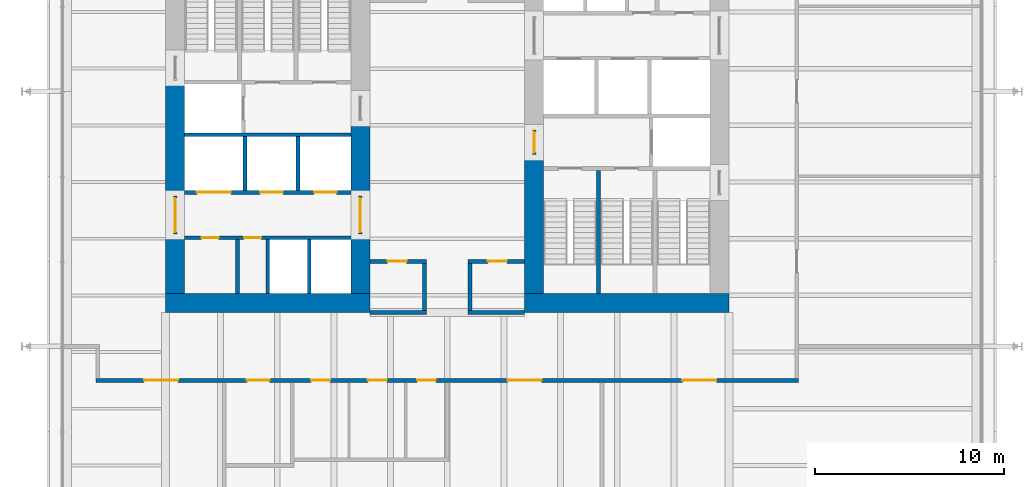
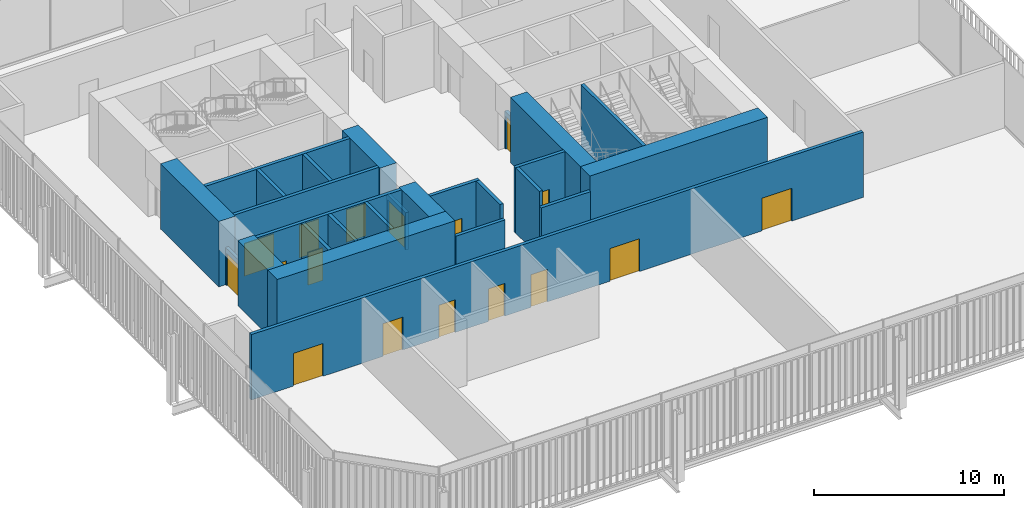
# One storey, part 16 of 20: 26 walls, 17 doors, 17 openings.
"""IFC4 building model written with IfcOpenShell, lengths in metres."""

from ifc_helpers import new_model, si_unit, direction, frame, frame_2d, origin, place, context, subcontext, project, spatial, rectangle, extrude, material, layer, layer_set, type_object, element, fill, save


model = new_model("IFC4")

# Units and contexts
model_context = context("Model", 3, precision=1e-05, world=origin(), true_north=direction((0.0, 1.0)))
body_context = subcontext(model_context, "Body", "Model", "MODEL_VIEW")
ifc_project = project(units=[si_unit("LENGTHUNIT", "METRE"), si_unit("AREAUNIT", "SQUARE_METRE"), si_unit("VOLUMEUNIT", "CUBIC_METRE"), si_unit("PLANEANGLEUNIT", "RADIAN"), si_unit("MASSUNIT", "GRAM", prefix="KILO")], contexts=[model_context])

# Site, building, storey
site_placement = place(None, origin())
site = spatial("IfcSite", under=ifc_project, at=site_placement, CompositionType="ELEMENT")
building_placement = place(site_placement, origin())
building = spatial("IfcBuilding", under=site, at=building_placement, Name="Millrace Tower", CompositionType="ELEMENT")
storey_placement = place(building_placement, frame((0.0, 0.0, 86.39990234375)))
storey = spatial("IfcBuildingStorey", under=building, at=storey_placement, Name="L19", CompositionType="ELEMENT", Elevation=86.39990234375)

# Walls
ifc_material_1 = material(Name="Concrete C80", Category="concrete")
ifc_layer_1 = layer(ifc_material_1, 1.0)
ifc_layer_set_1 = layer_set([ifc_layer_1], Name="Concrete C80")
wall_type_1 = type_object("IfcWallType", Name="Core wall 1000 Concrete C80", PredefinedType="SHEAR", material=ifc_layer_set_1)
wall_1_placement = place(storey_placement, frame((-14.89990234375, -9.39990234375, 0.0), z_axis=(0.0, 0.0, 1.0), x_axis=(1.0, 0.0, 0.0)))
element("IfcWall", 1, at=wall_1_placement, inside=storey, type_object=wall_type_1, Name="Core wall W L19", PredefinedType="SHEAR", context=body_context, shape_type="SweptSolid", body=[
    extrude(rectangle(XDim=10.7998046875, YDim=1.0, at=frame_2d((5.39990234375, 0.0))), origin(), (0.0, 0.0, 1.0), 4.2001953125),
])
wall_2_placement = place(storey_placement, frame((-14.39990234375, -8.89990234375, 0.0), z_axis=(0.0, 0.0, 1.0), x_axis=(0.0, 1.0, 0.0)))
element("IfcWall", 2, at=wall_2_placement, inside=storey, type_object=wall_type_1, Name="Core wall W L19", PredefinedType="SHEAR", context=body_context, shape_type="SweptSolid", body=[
    extrude(rectangle(XDim=3.14990234375, YDim=1.0, at=frame_2d((1.574951171875, 0.0))), origin(), (0.0, 0.0, 1.0), 4.2001953125),
])
wall_3_placement = place(storey_placement, frame((-14.39990234375, -3.75, 0.0), z_axis=(0.0, 0.0, 1.0), x_axis=(0.0, 1.0, 0.0)))
element("IfcWall", 3, at=wall_3_placement, inside=storey, type_object=wall_type_1, Name="Core wall W L19", PredefinedType="SHEAR", context=body_context, shape_type="SweptSolid", body=[
    extrude(rectangle(XDim=6.1298828125, YDim=1.0, at=frame_2d((3.06494140625, 0.0))), origin(), (0.0, 0.0, 1.0), 4.2001953125),
])
wall_4_placement = place(storey_placement, frame((-4.60009765625, -8.89990234375, 0.0), z_axis=(0.0, 0.0, 1.0), x_axis=(0.0, 1.0, 0.0)))
element("IfcWall", 4, at=wall_4_placement, inside=storey, type_object=wall_type_1, Name="Core wall W L19", PredefinedType="SHEAR", context=body_context, shape_type="SweptSolid", body=[
    extrude(rectangle(XDim=3.14990234375, YDim=1.0, at=frame_2d((1.574951171875, 0.0))), origin(), (0.0, 0.0, 1.0), 4.2001953125),
])
wall_5_placement = place(storey_placement, frame((-4.60009765625, -3.75, 0.0), z_axis=(0.0, 0.0, 1.0), x_axis=(0.0, 1.0, 0.0)))
element("IfcWall", 5, at=wall_5_placement, inside=storey, type_object=wall_type_1, Name="Core wall W L19", PredefinedType="SHEAR", context=body_context, shape_type="SweptSolid", body=[
    extrude(rectangle(XDim=4.0, YDim=1.0, at=frame_2d((2.0, 0.0))), origin(), (0.0, 0.0, 1.0), 4.2001953125),
])
wall_6_placement = place(storey_placement, frame((14.89990234375, -9.39990234375, 0.0), z_axis=(0.0, 0.0, 1.0), x_axis=(-1.0, 0.0, 0.0)))
element("IfcWall", 6, at=wall_6_placement, inside=storey, type_object=wall_type_1, Name="Core wall E L19", PredefinedType="SHEAR", context=body_context, shape_type="SweptSolid", body=[
    extrude(rectangle(XDim=10.7998046875, YDim=1.0, at=frame_2d((5.39990234375, 0.0))), origin(), (0.0, 0.0, 1.0), 4.2001953125),
])
wall_7_placement = place(storey_placement, frame((4.60009765625, -1.550048828125, 0.0), z_axis=(0.0, 0.0, 1.0), x_axis=(0.0, -1.0, 0.0)))
element("IfcWall", 7, at=wall_7_placement, inside=storey, type_object=wall_type_1, Name="Core wall E L19", PredefinedType="SHEAR", context=body_context, shape_type="SweptSolid", body=[
    extrude(rectangle(XDim=7.349853515625, YDim=1.0, at=frame_2d((3.6748046875, 0.0))), origin(), (0.0, 0.0, 1.0), 4.2001953125),
])

# Wall, openings, doors
ifc_material_2 = material(Name="Masonry partition, fire-rated", Category="masonry")
ifc_layer_2 = layer(ifc_material_2, 0.199951171875)
ifc_layer_set_2 = layer_set([ifc_layer_2], Name="Masonry partition, fire-rated")
wall_type_2 = type_object("IfcWallType", Name="Corridor wall 200", PredefinedType="PARTITIONING", material=ifc_layer_set_2)
wall_8_placement = place(storey_placement, frame((-18.60009765625, -13.5, 0.0), z_axis=(0.0, 0.0, 1.0), x_axis=(1.0, 0.0, 0.0)))
wall_8 = element("IfcWall", 8, at=wall_8_placement, inside=storey, type_object=wall_type_2, Name="Corridor wall L19", PredefinedType="PARTITIONING", context=body_context, shape_type="SweptSolid", body=[
    extrude(rectangle(XDim=37.2001953125, YDim=0.199951171875, at=frame_2d((18.60009765625, 0.0))), origin(), (0.0, 0.0, 1.0), 4.2001953125),
])
opening_1_placement = place(wall_8_placement, frame((2.550048828125, 0.0, 0.0)))
opening_1 = element("IfcOpeningElement", 9, at=opening_1_placement, cuts=wall_8, Name="Opening 19-P005", PredefinedType="OPENING", context=body_context, shape_type="SweptSolid", body=[
    extrude(rectangle(XDim=1.800048828125, YDim=2.10009765625, at=frame_2d((0.89990234375, 1.050048828125))), frame((0.0, 0.10986328125, 0.0), z_axis=(0.0, -1.0, 0.0), x_axis=(1.0, 0.0, 0.0)), (0.0, 0.0, 1.0), 0.219970703125),
])
opening_2_placement = place(wall_8_placement, frame((21.794921875, 0.0, 0.0)))
opening_2 = element("IfcOpeningElement", 10, at=opening_2_placement, cuts=wall_8, Name="Opening 19-P006", PredefinedType="OPENING", context=body_context, shape_type="SweptSolid", body=[
    extrude(rectangle(XDim=1.800048828125, YDim=2.10009765625, at=frame_2d((0.89990234375, 1.050048828125))), frame((0.0, 0.10986328125, 0.0), z_axis=(0.0, -1.0, 0.0), x_axis=(1.0, 0.0, 0.0)), (0.0, 0.0, 1.0), 0.219970703125),
])
opening_3_placement = place(wall_8_placement, frame((31.044921875, 0.0, 0.0)))
opening_3 = element("IfcOpeningElement", 11, at=opening_3_placement, cuts=wall_8, Name="Opening 19-P007", PredefinedType="OPENING", context=body_context, shape_type="SweptSolid", body=[
    extrude(rectangle(XDim=1.800048828125, YDim=2.10009765625, at=frame_2d((0.89990234375, 1.050048828125))), frame((0.0, 0.10986328125, 0.0), z_axis=(0.0, -1.0, 0.0), x_axis=(1.0, 0.0, 0.0)), (0.0, 0.0, 1.0), 0.219970703125),
])
opening_4_placement = place(wall_8_placement, frame((8.0, 0.0, 0.0)))
opening_4 = element("IfcOpeningElement", 12, at=opening_4_placement, cuts=wall_8, Name="Opening 19-P008", PredefinedType="OPENING", context=body_context, shape_type="SweptSolid", body=[
    extrude(rectangle(XDim=1.199951171875, YDim=2.10009765625, at=frame_2d((0.60009765625, 1.050048828125))), frame((0.0, 0.10986328125, 0.0), z_axis=(0.0, -1.0, 0.0), x_axis=(1.0, 0.0, 0.0)), (0.0, 0.0, 1.0), 0.219970703125),
])
opening_5_placement = place(wall_8_placement, frame((11.39990234375, 0.0, 0.0)))
opening_5 = element("IfcOpeningElement", 13, at=opening_5_placement, cuts=wall_8, Name="Opening 19-P016", PredefinedType="OPENING", context=body_context, shape_type="SweptSolid", body=[
    extrude(rectangle(XDim=1.0, YDim=2.10009765625, at=frame_2d((0.5, 1.050048828125))), frame((0.0, 0.10986328125, 0.0), z_axis=(0.0, -1.0, 0.0), x_axis=(1.0, 0.0, 0.0)), (0.0, 0.0, 1.0), 0.219970703125),
])
opening_6_placement = place(wall_8_placement, frame((14.39990234375, 0.0, 0.0)))
opening_6 = element("IfcOpeningElement", 14, at=opening_6_placement, cuts=wall_8, Name="Opening 19-P017", PredefinedType="OPENING", context=body_context, shape_type="SweptSolid", body=[
    extrude(rectangle(XDim=1.0, YDim=2.10009765625, at=frame_2d((0.5, 1.050048828125))), frame((0.0, 0.10986328125, 0.0), z_axis=(0.0, -1.0, 0.0), x_axis=(1.0, 0.0, 0.0)), (0.0, 0.0, 1.0), 0.219970703125),
])
opening_7_placement = place(wall_8_placement, frame((17.0, 0.0, 0.0)))
opening_7 = element("IfcOpeningElement", 15, at=opening_7_placement, cuts=wall_8, Name="Opening 19-P018", PredefinedType="OPENING", context=body_context, shape_type="SweptSolid", body=[
    extrude(rectangle(XDim=1.0, YDim=2.10009765625, at=frame_2d((0.5, 1.050048828125))), frame((0.0, 0.10986328125, 0.0), z_axis=(0.0, -1.0, 0.0), x_axis=(1.0, 0.0, 0.0)), (0.0, 0.0, 1.0), 0.219970703125),
])
ifc_material_3 = material(Name="Steel door set, fire-rated", Category="steel")
door_type_1 = type_object("IfcDoorType", Name="Corridor door 1000 x 2100", OperationType="SINGLE_SWING_LEFT", PredefinedType="DOOR", material=ifc_material_3)
door_1_placement = place(opening_5_placement, frame((1.0, 0.0, 0.0), z_axis=(0.0, 0.0, 1.0), x_axis=(-1.0, 0.0, 0.0)))
door_1 = element("IfcDoor", 16, at=door_1_placement, inside=storey, type_object=door_type_1, Name="Door 19-P016", OperationType="SINGLE_SWING_RIGHT", OverallHeight=2.10009765625, OverallWidth=1.0, PredefinedType="DOOR", context=body_context, shape_type="SweptSolid", body=[
    extrude(rectangle(XDim=1.0, YDim=2.10009765625, at=frame_2d((0.5, 1.050048828125))), frame((0.0, 0.02490234375, 0.0), z_axis=(0.0, -1.0, 0.0), x_axis=(1.0, 0.0, 0.0)), (0.0, 0.0, 1.0), 0.050048828125),
])
fill(opening_5, door_1)
door_2_placement = place(opening_6_placement, frame((1.0, 0.0, 0.0), z_axis=(0.0, 0.0, 1.0), x_axis=(-1.0, 0.0, 0.0)))
door_2 = element("IfcDoor", 17, at=door_2_placement, inside=storey, type_object=door_type_1, Name="Door 19-P017", OperationType="SINGLE_SWING_RIGHT", OverallHeight=2.10009765625, OverallWidth=1.0, PredefinedType="DOOR", context=body_context, shape_type="SweptSolid", body=[
    extrude(rectangle(XDim=1.0, YDim=2.10009765625, at=frame_2d((0.5, 1.050048828125))), frame((0.0, 0.02490234375, 0.0), z_axis=(0.0, -1.0, 0.0), x_axis=(1.0, 0.0, 0.0)), (0.0, 0.0, 1.0), 0.050048828125),
])
fill(opening_6, door_2)
door_3_placement = place(opening_7_placement, frame((1.0, 0.0, 0.0), z_axis=(0.0, 0.0, 1.0), x_axis=(-1.0, 0.0, 0.0)))
door_3 = element("IfcDoor", 18, at=door_3_placement, inside=storey, type_object=door_type_1, Name="Door 19-P018", OperationType="SINGLE_SWING_RIGHT", OverallHeight=2.10009765625, OverallWidth=1.0, PredefinedType="DOOR", context=body_context, shape_type="SweptSolid", body=[
    extrude(rectangle(XDim=1.0, YDim=2.10009765625, at=frame_2d((0.5, 1.050048828125))), frame((0.0, 0.02490234375, 0.0), z_axis=(0.0, -1.0, 0.0), x_axis=(1.0, 0.0, 0.0)), (0.0, 0.0, 1.0), 0.050048828125),
])
fill(opening_7, door_3)
ifc_material_4 = material(Name="Steel door set, fire-rated", Category="steel")
door_type_2 = type_object("IfcDoorType", Name="Data hall door 1200 x 2100", OperationType="SINGLE_SWING_LEFT", PredefinedType="DOOR", material=ifc_material_4)
door_4_placement = place(opening_4_placement, frame((1.199951171875, 0.0, 0.0), z_axis=(0.0, 0.0, 1.0), x_axis=(-1.0, 0.0, 0.0)))
door_4 = element("IfcDoor", 19, at=door_4_placement, inside=storey, type_object=door_type_2, Name="Door 19-P008", OperationType="SINGLE_SWING_RIGHT", OverallHeight=2.10009765625, OverallWidth=1.199951171875, PredefinedType="DOOR", context=body_context, shape_type="SweptSolid", body=[
    extrude(rectangle(XDim=1.199951171875, YDim=2.10009765625, at=frame_2d((0.60009765625, 1.050048828125))), frame((0.0, 0.02490234375, 0.0), z_axis=(0.0, -1.0, 0.0), x_axis=(1.0, 0.0, 0.0)), (0.0, 0.0, 1.0), 0.050048828125),
])
fill(opening_4, door_4)
ifc_material_5 = material(Name="Steel door set, fire-rated", Category="steel")
door_type_3 = type_object("IfcDoorType", Name="Data hall door 1800 x 2100", OperationType="DOUBLE_DOOR_SINGLE_SWING", PredefinedType="DOOR", material=ifc_material_5)
door_5_placement = place(opening_1_placement, frame((1.800048828125, 0.0, 0.0), z_axis=(0.0, 0.0, 1.0), x_axis=(-1.0, 0.0, 0.0)))
door_5 = element("IfcDoor", 20, at=door_5_placement, inside=storey, type_object=door_type_3, Name="Door 19-P005", OperationType="DOUBLE_DOOR_SINGLE_SWING", OverallHeight=2.10009765625, OverallWidth=1.800048828125, PredefinedType="DOOR", context=body_context, shape_type="SweptSolid", body=[
    extrude(rectangle(XDim=1.800048828125, YDim=2.10009765625, at=frame_2d((0.89990234375, 1.050048828125))), frame((0.0, 0.02490234375, 0.0), z_axis=(0.0, -1.0, 0.0), x_axis=(1.0, 0.0, 0.0)), (0.0, 0.0, 1.0), 0.050048828125),
])
fill(opening_1, door_5)
door_6_placement = place(opening_2_placement, frame((1.800048828125, 0.0, 0.0), z_axis=(0.0, 0.0, 1.0), x_axis=(-1.0, 0.0, 0.0)))
door_6 = element("IfcDoor", 21, at=door_6_placement, inside=storey, type_object=door_type_3, Name="Door 19-P006", OperationType="DOUBLE_DOOR_SINGLE_SWING", OverallHeight=2.10009765625, OverallWidth=1.800048828125, PredefinedType="DOOR", context=body_context, shape_type="SweptSolid", body=[
    extrude(rectangle(XDim=1.800048828125, YDim=2.10009765625, at=frame_2d((0.89990234375, 1.050048828125))), frame((0.0, 0.02490234375, 0.0), z_axis=(0.0, -1.0, 0.0), x_axis=(1.0, 0.0, 0.0)), (0.0, 0.0, 1.0), 0.050048828125),
])
fill(opening_2, door_6)
door_7_placement = place(opening_3_placement, frame((1.800048828125, 0.0, 0.0), z_axis=(0.0, 0.0, 1.0), x_axis=(-1.0, 0.0, 0.0)))
door_7 = element("IfcDoor", 22, at=door_7_placement, inside=storey, type_object=door_type_3, Name="Door 19-P007", OperationType="DOUBLE_DOOR_SINGLE_SWING", OverallHeight=2.10009765625, OverallWidth=1.800048828125, PredefinedType="DOOR", context=body_context, shape_type="SweptSolid", body=[
    extrude(rectangle(XDim=1.800048828125, YDim=2.10009765625, at=frame_2d((0.89990234375, 1.050048828125))), frame((0.0, 0.02490234375, 0.0), z_axis=(0.0, -1.0, 0.0), x_axis=(1.0, 0.0, 0.0)), (0.0, 0.0, 1.0), 0.050048828125),
])
fill(opening_3, door_7)

# Walls
for number, where, z_axis, x_axis, name in (
    (23, (-4.10009765625, -9.89990234375, 0.0), (0.0, 0.0, 1.0), (1.0, 0.0, 0.0), "Corridor wall L19"),
    (24, (1.10009765625, -9.89990234375, 0.0), (0.0, 0.0, 1.0), (1.0, 0.0, 0.0), "Corridor wall L19"),
):
    element("IfcWall", number, at=place(storey_placement, frame(where, z_axis=z_axis, x_axis=x_axis)), inside=storey, type_object=wall_type_2, Name=name, PredefinedType="PARTITIONING", context=body_context, shape_type="SweptSolid", body=[
        extrude(rectangle(XDim=3.0, YDim=0.199951171875, at=frame_2d((1.5, 0.0))), origin(), (0.0, 0.0, 1.0), 3.2626953125),
    ])

# Wall, opening, door
wall_9_placement = place(storey_placement, frame((-4.10009765625, -7.199951171875, 0.0), z_axis=(0.0, 0.0, 1.0), x_axis=(1.0, 0.0, 0.0)))
wall_9 = element("IfcWall", 25, at=wall_9_placement, inside=storey, type_object=wall_type_2, Name="Corridor wall L19", PredefinedType="PARTITIONING", context=body_context, shape_type="SweptSolid", body=[
    extrude(rectangle(XDim=3.0, YDim=0.199951171875, at=frame_2d((1.5, 0.0))), origin(), (0.0, 0.0, 1.0), 4.2001953125),
])
opening_8_placement = place(wall_9_placement, frame((0.949951171875, 0.0, 0.0)))
opening_8 = element("IfcOpeningElement", 26, at=opening_8_placement, cuts=wall_9, Name="Opening 19-P003", PredefinedType="OPENING", context=body_context, shape_type="SweptSolid", body=[
    extrude(rectangle(XDim=1.0, YDim=2.10009765625, at=frame_2d((0.5, 1.050048828125))), frame((0.0, 0.10986328125, 0.0), z_axis=(0.0, -1.0, 0.0), x_axis=(1.0, 0.0, 0.0)), (0.0, 0.0, 1.0), 0.219970703125),
])
door_8_placement = place(opening_8_placement, frame((1.0, 0.0, 0.0), z_axis=(0.0, 0.0, 1.0), x_axis=(-1.0, 0.0, 0.0)))
door_8 = element("IfcDoor", 27, at=door_8_placement, inside=storey, type_object=door_type_1, Name="Door 19-P003", OperationType="SINGLE_SWING_RIGHT", OverallHeight=2.10009765625, OverallWidth=1.0, PredefinedType="DOOR", context=body_context, shape_type="SweptSolid", body=[
    extrude(rectangle(XDim=1.0, YDim=2.10009765625, at=frame_2d((0.5, 1.050048828125))), frame((0.0, 0.02490234375, 0.0), z_axis=(0.0, -1.0, 0.0), x_axis=(1.0, 0.0, 0.0)), (0.0, 0.0, 1.0), 0.050048828125),
])
fill(opening_8, door_8)

wall_10_placement = place(storey_placement, frame((1.10009765625, -7.199951171875, 0.0), z_axis=(0.0, 0.0, 1.0), x_axis=(1.0, 0.0, 0.0)))
wall_10 = element("IfcWall", 28, at=wall_10_placement, inside=storey, type_object=wall_type_2, Name="Corridor wall L19", PredefinedType="PARTITIONING", context=body_context, shape_type="SweptSolid", body=[
    extrude(rectangle(XDim=3.0, YDim=0.199951171875, at=frame_2d((1.5, 0.0))), origin(), (0.0, 0.0, 1.0), 4.2001953125),
])
opening_9_placement = place(wall_10_placement, frame((1.050048828125, 0.0, 0.0)))
opening_9 = element("IfcOpeningElement", 29, at=opening_9_placement, cuts=wall_10, Name="Opening 19-P004", PredefinedType="OPENING", context=body_context, shape_type="SweptSolid", body=[
    extrude(rectangle(XDim=1.0, YDim=2.10009765625, at=frame_2d((0.5, 1.050048828125))), frame((0.0, 0.10986328125, 0.0), z_axis=(0.0, -1.0, 0.0), x_axis=(1.0, 0.0, 0.0)), (0.0, 0.0, 1.0), 0.219970703125),
])
door_9_placement = place(opening_9_placement, frame((1.0, 0.0, 0.0), z_axis=(0.0, 0.0, 1.0), x_axis=(-1.0, 0.0, 0.0)))
door_9 = element("IfcDoor", 30, at=door_9_placement, inside=storey, type_object=door_type_1, Name="Door 19-P004", OperationType="SINGLE_SWING_RIGHT", OverallHeight=2.10009765625, OverallWidth=1.0, PredefinedType="DOOR", context=body_context, shape_type="SweptSolid", body=[
    extrude(rectangle(XDim=1.0, YDim=2.10009765625, at=frame_2d((0.5, 1.050048828125))), frame((0.0, 0.02490234375, 0.0), z_axis=(0.0, -1.0, 0.0), x_axis=(1.0, 0.0, 0.0)), (0.0, 0.0, 1.0), 0.050048828125),
])
fill(opening_9, door_9)

# Walls
for number, where, z_axis, x_axis, name in (
    (31, (1.199951171875, -9.800048828125, 0.0), (0.0, 0.0, 1.0), (0.0, 1.0, 0.0), "Corridor wall L19"),
    (32, (-1.199951171875, -9.800048828125, 0.0), (0.0, 0.0, 1.0), (0.0, 1.0, 0.0), "Corridor wall L19"),
):
    element("IfcWall", number, at=place(storey_placement, frame(where, z_axis=z_axis, x_axis=x_axis)), inside=storey, type_object=wall_type_2, Name=name, PredefinedType="PARTITIONING", context=body_context, shape_type="SweptSolid", body=[
        extrude(rectangle(XDim=2.5, YDim=0.199951171875, at=frame_2d((1.25, 0.0))), origin(), (0.0, 0.0, 1.0), 4.2001953125),
    ])

# Wall, openings, doors
ifc_material_6 = material(Name="Masonry partition, fire-rated", Category="masonry")
ifc_layer_3 = layer(ifc_material_6, 0.199951171875)
ifc_layer_set_3 = layer_set([ifc_layer_3], Name="Masonry partition, fire-rated")
wall_type_3 = type_object("IfcWallType", Name="Lift shaft wall 200", PredefinedType="PARTITIONING", material=ifc_layer_set_3)
wall_11_placement = place(storey_placement, frame((-13.89990234375, -5.949951171875, 0.0), z_axis=(0.0, 0.0, 1.0), x_axis=(1.0, 0.0, 0.0)))
wall_11 = element("IfcWall", 33, at=wall_11_placement, inside=storey, type_object=wall_type_3, Name="Lift shaft wall W L19", PredefinedType="PARTITIONING", context=body_context, shape_type="SweptSolid", body=[
    extrude(rectangle(XDim=8.7998046875, YDim=0.199951171875, at=frame_2d((4.39990234375, 0.0))), origin(), (0.0, 0.0, 1.0), 4.2001953125),
])
opening_10_placement = place(wall_11_placement, frame((0.8974609375, 0.0, 0.0)))
opening_10 = element("IfcOpeningElement", 34, at=opening_10_placement, cuts=wall_11, Name="Opening 19-C005", PredefinedType="OPENING", context=body_context, shape_type="SweptSolid", body=[
    extrude(rectangle(XDim=0.89990234375, YDim=2.10009765625, at=frame_2d((0.449951171875, 1.050048828125))), frame((0.0, 0.10986328125, 0.0), z_axis=(0.0, -1.0, 0.0), x_axis=(1.0, 0.0, 0.0)), (0.0, 0.0, 1.0), 0.219970703125),
])
opening_11_placement = place(wall_11_placement, frame((3.1474609375, 0.0, 0.0)))
opening_11 = element("IfcOpeningElement", 35, at=opening_11_placement, cuts=wall_11, Name="Opening 19-C006", PredefinedType="OPENING", context=body_context, shape_type="SweptSolid", body=[
    extrude(rectangle(XDim=0.89990234375, YDim=2.10009765625, at=frame_2d((0.449951171875, 1.050048828125))), frame((0.0, 0.10986328125, 0.0), z_axis=(0.0, -1.0, 0.0), x_axis=(1.0, 0.0, 0.0)), (0.0, 0.0, 1.0), 0.219970703125),
])
ifc_material_7 = material(Name="Steel door, fire-rated", Category="steel")
door_type_4 = type_object("IfcDoorType", Name="Service room door 900 x 2100", OperationType="SINGLE_SWING_LEFT", PredefinedType="DOOR", material=ifc_material_7)
door_10_placement = place(opening_10_placement, frame((0.89990234375, 0.0, 0.0), z_axis=(0.0, 0.0, 1.0), x_axis=(-1.0, 0.0, 0.0)))
door_10 = element("IfcDoor", 36, at=door_10_placement, inside=storey, type_object=door_type_4, Name="Service room door 19-C005", OperationType="SINGLE_SWING_RIGHT", OverallHeight=2.10009765625, OverallWidth=0.89990234375, PredefinedType="DOOR", context=body_context, shape_type="SweptSolid", body=[
    extrude(rectangle(XDim=0.89990234375, YDim=2.10009765625, at=frame_2d((0.449951171875, 1.050048828125))), frame((0.0, 0.02490234375, 0.0), z_axis=(0.0, -1.0, 0.0), x_axis=(1.0, 0.0, 0.0)), (0.0, 0.0, 1.0), 0.050048828125),
])
fill(opening_10, door_10)
door_11_placement = place(opening_11_placement, frame((0.89990234375, 0.0, 0.0), z_axis=(0.0, 0.0, 1.0), x_axis=(-1.0, 0.0, 0.0)))
door_11 = element("IfcDoor", 37, at=door_11_placement, inside=storey, type_object=door_type_4, Name="Service room door 19-C006", OperationType="SINGLE_SWING_RIGHT", OverallHeight=2.10009765625, OverallWidth=0.89990234375, PredefinedType="DOOR", context=body_context, shape_type="SweptSolid", body=[
    extrude(rectangle(XDim=0.89990234375, YDim=2.10009765625, at=frame_2d((0.449951171875, 1.050048828125))), frame((0.0, 0.02490234375, 0.0), z_axis=(0.0, -1.0, 0.0), x_axis=(1.0, 0.0, 0.0)), (0.0, 0.0, 1.0), 0.050048828125),
])
fill(opening_11, door_11)

wall_12_placement = place(storey_placement, frame((-13.89990234375, -3.550048828125, 0.0), z_axis=(0.0, 0.0, 1.0), x_axis=(1.0, 0.0, 0.0)))
wall_12 = element("IfcWall", 38, at=wall_12_placement, inside=storey, type_object=wall_type_3, Name="Lift shaft wall W L19", PredefinedType="PARTITIONING", context=body_context, shape_type="SweptSolid", body=[
    extrude(rectangle(XDim=8.7998046875, YDim=0.199951171875, at=frame_2d((4.39990234375, 0.0))), origin(), (0.0, 0.0, 1.0), 4.2001953125),
])
opening_12_placement = place(wall_12_placement, frame((0.64990234375, 0.0, 0.0)))
opening_12 = element("IfcOpeningElement", 39, at=opening_12_placement, cuts=wall_12, Name="Opening 19-LD05", PredefinedType="OPENING", context=body_context, shape_type="SweptSolid", body=[
    extrude(rectangle(XDim=1.800048828125, YDim=2.10009765625, at=frame_2d((0.89990234375, 1.050048828125))), frame((0.0, 0.10986328125, 0.0), z_axis=(0.0, -1.0, 0.0), x_axis=(1.0, 0.0, 0.0)), (0.0, 0.0, 1.0), 0.219970703125),
])
opening_13_placement = place(wall_12_placement, frame((4.0, 0.0, 0.0)))
opening_13 = element("IfcOpeningElement", 40, at=opening_13_placement, cuts=wall_12, Name="Opening 19-LD06", PredefinedType="OPENING", context=body_context, shape_type="SweptSolid", body=[
    extrude(rectangle(XDim=1.199951171875, YDim=2.10009765625, at=frame_2d((0.60009765625, 1.050048828125))), frame((0.0, 0.10986328125, 0.0), z_axis=(0.0, -1.0, 0.0), x_axis=(1.0, 0.0, 0.0)), (0.0, 0.0, 1.0), 0.219970703125),
])
opening_14_placement = place(wall_12_placement, frame((6.85009765625, 0.0, 0.0)))
opening_14 = element("IfcOpeningElement", 41, at=opening_14_placement, cuts=wall_12, Name="Opening 19-LD07", PredefinedType="OPENING", context=body_context, shape_type="SweptSolid", body=[
    extrude(rectangle(XDim=1.199951171875, YDim=2.10009765625, at=frame_2d((0.60009765625, 1.050048828125))), frame((0.0, 0.10986328125, 0.0), z_axis=(0.0, -1.0, 0.0), x_axis=(1.0, 0.0, 0.0)), (0.0, 0.0, 1.0), 0.219970703125),
])
ifc_material_8 = material(Name="Stainless steel, fire-rated", Category="steel")
door_type_5 = type_object("IfcDoorType", Name="Lift landing door 1200 x 2100", OperationType="DOUBLE_DOOR_SLIDING", PredefinedType="DOOR", material=ifc_material_8)
door_12_placement = place(opening_13_placement, origin())
door_12 = element("IfcDoor", 42, at=door_12_placement, inside=storey, type_object=door_type_5, Name="Lift landing door LF6 L19", OperationType="DOUBLE_DOOR_SLIDING", OverallHeight=2.10009765625, OverallWidth=1.199951171875, PredefinedType="DOOR", context=body_context, shape_type="SweptSolid", body=[
    extrude(rectangle(XDim=1.199951171875, YDim=2.10009765625, at=frame_2d((0.60009765625, 1.050048828125))), frame((0.0, 0.02490234375, 0.0), z_axis=(0.0, -1.0, 0.0), x_axis=(1.0, 0.0, 0.0)), (0.0, 0.0, 1.0), 0.050048828125),
])
fill(opening_13, door_12)
door_13_placement = place(opening_14_placement, origin())
door_13 = element("IfcDoor", 43, at=door_13_placement, inside=storey, type_object=door_type_5, Name="Lift landing door LF7 L19", OperationType="DOUBLE_DOOR_SLIDING", OverallHeight=2.10009765625, OverallWidth=1.199951171875, PredefinedType="DOOR", context=body_context, shape_type="SweptSolid", body=[
    extrude(rectangle(XDim=1.199951171875, YDim=2.10009765625, at=frame_2d((0.60009765625, 1.050048828125))), frame((0.0, 0.02490234375, 0.0), z_axis=(0.0, -1.0, 0.0), x_axis=(1.0, 0.0, 0.0)), (0.0, 0.0, 1.0), 0.050048828125),
])
fill(opening_14, door_13)
ifc_material_9 = material(Name="Stainless steel, fire-rated", Category="steel")
door_type_6 = type_object("IfcDoorType", Name="Lift landing door 1800 x 2100", OperationType="DOUBLE_DOOR_SLIDING", PredefinedType="DOOR", material=ifc_material_9)
door_14_placement = place(opening_12_placement, origin())
door_14 = element("IfcDoor", 44, at=door_14_placement, inside=storey, type_object=door_type_6, Name="Lift landing door LF5 L19", OperationType="DOUBLE_DOOR_SLIDING", OverallHeight=2.10009765625, OverallWidth=1.800048828125, PredefinedType="DOOR", context=body_context, shape_type="SweptSolid", body=[
    extrude(rectangle(XDim=1.800048828125, YDim=2.10009765625, at=frame_2d((0.89990234375, 1.050048828125))), frame((0.0, 0.02490234375, 0.0), z_axis=(0.0, -1.0, 0.0), x_axis=(1.0, 0.0, 0.0)), (0.0, 0.0, 1.0), 0.050048828125),
])
fill(opening_12, door_14)

# Walls
wall_13_placement = place(storey_placement, frame((-13.89990234375, -0.5, 0.0), z_axis=(0.0, 0.0, 1.0), x_axis=(1.0, 0.0, 0.0)))
element("IfcWall", 45, at=wall_13_placement, inside=storey, type_object=wall_type_3, Name="Lift shaft wall W L19", PredefinedType="PARTITIONING", context=body_context, shape_type="SweptSolid", body=[
    extrude(rectangle(XDim=8.7998046875, YDim=0.199951171875, at=frame_2d((4.39990234375, 0.0))), origin(), (0.0, 0.0, 1.0), 4.2001953125),
])
for number, where, z_axis, x_axis, name in (
    (46, (-9.5, -8.89990234375, 0.0), (0.0, 0.0, 1.0), (0.0, 1.0, 0.0), "Lift shaft wall W L19"),
    (47, (-7.300048828125, -8.89990234375, 0.0), (0.0, 0.0, 1.0), (0.0, 1.0, 0.0), "Lift shaft wall W L19"),
    (48, (-10.699951171875, -3.449951171875, 0.0), (0.0, 0.0, 1.0), (0.0, 1.0, 0.0), "Lift shaft wall W L19"),
    (49, (-7.89990234375, -3.449951171875, 0.0), (0.0, 0.0, 1.0), (0.0, 1.0, 0.0), "Lift shaft wall W L19"),
):
    element("IfcWall", number, at=place(storey_placement, frame(where, z_axis=z_axis, x_axis=x_axis)), inside=storey, type_object=wall_type_3, Name=name, PredefinedType="PARTITIONING", context=body_context, shape_type="SweptSolid", body=[
        extrude(rectangle(XDim=2.849853515625, YDim=0.199951171875, at=frame_2d((1.4248046875, 0.0))), origin(), (0.0, 0.0, 1.0), 4.2001953125),
    ])

# Wall, opening, door
ifc_material_10 = material(Name="Masonry partition, fire-rated", Category="masonry")
ifc_layer_4 = layer(ifc_material_10, 0.199951171875)
ifc_layer_set_4 = layer_set([ifc_layer_4], Name="Masonry partition, fire-rated")
wall_type_4 = type_object("IfcWallType", Name="Lobby wall 200", PredefinedType="PARTITIONING", material=ifc_layer_set_4)
wall_14_placement = place(storey_placement, frame((-14.39990234375, -5.75, 0.0), z_axis=(0.0, 0.0, 1.0), x_axis=(0.0, 1.0, 0.0)))
wall_14 = element("IfcWall", 50, at=wall_14_placement, inside=storey, type_object=wall_type_4, Name="Lobby wall W L19", PredefinedType="PARTITIONING", context=body_context, shape_type="SweptSolid", body=[
    extrude(rectangle(XDim=2.0, YDim=0.199951171875, at=frame_2d((1.0, 0.0))), origin(), (0.0, 0.0, 1.0), 2.400146484375),
])
opening_15_placement = place(wall_14_placement, frame((0.10009765625, 0.0, 0.0)))
opening_15 = element("IfcOpeningElement", 51, at=opening_15_placement, cuts=wall_14, Name="Opening 19-C001", PredefinedType="OPENING", context=body_context, shape_type="SweptSolid", body=[
    extrude(rectangle(XDim=1.800048828125, YDim=2.10009765625, at=frame_2d((0.89990234375, 1.050048828125))), frame((0.0, 0.10986328125, 0.0), z_axis=(0.0, -1.0, 0.0), x_axis=(1.0, 0.0, 0.0)), (0.0, 0.0, 1.0), 0.219970703125),
])
ifc_material_11 = material(Name="Steel door, fire-rated", Category="steel")
door_type_7 = type_object("IfcDoorType", Name="Lobby door 1800 x 2100", OperationType="DOUBLE_DOOR_SINGLE_SWING", PredefinedType="DOOR", material=ifc_material_11)
door_15_placement = place(opening_15_placement, origin())
door_15 = element("IfcDoor", 52, at=door_15_placement, inside=storey, type_object=door_type_7, Name="Lobby door 19-C001", OperationType="DOUBLE_DOOR_SINGLE_SWING", OverallHeight=2.10009765625, OverallWidth=1.800048828125, PredefinedType="DOOR", context=body_context, shape_type="SweptSolid", body=[
    extrude(rectangle(XDim=1.800048828125, YDim=2.10009765625, at=frame_2d((0.89990234375, 1.050048828125))), frame((0.0, 0.02490234375, 0.0), z_axis=(0.0, -1.0, 0.0), x_axis=(1.0, 0.0, 0.0)), (0.0, 0.0, 1.0), 0.050048828125),
])
fill(opening_15, door_15)

wall_15_placement = place(storey_placement, frame((-4.60009765625, -5.75, 0.0), z_axis=(0.0, 0.0, 1.0), x_axis=(0.0, 1.0, 0.0)))
wall_15 = element("IfcWall", 53, at=wall_15_placement, inside=storey, type_object=wall_type_4, Name="Lobby wall W L19", PredefinedType="PARTITIONING", context=body_context, shape_type="SweptSolid", body=[
    extrude(rectangle(XDim=2.0, YDim=0.199951171875, at=frame_2d((1.0, 0.0))), origin(), (0.0, 0.0, 1.0), 2.400146484375),
])
opening_16_placement = place(wall_15_placement, frame((0.10009765625, 0.0, 0.0)))
opening_16 = element("IfcOpeningElement", 54, at=opening_16_placement, cuts=wall_15, Name="Opening 19-C003", PredefinedType="OPENING", context=body_context, shape_type="SweptSolid", body=[
    extrude(rectangle(XDim=1.800048828125, YDim=2.10009765625, at=frame_2d((0.89990234375, 1.050048828125))), frame((0.0, 0.10986328125, 0.0), z_axis=(0.0, -1.0, 0.0), x_axis=(1.0, 0.0, 0.0)), (0.0, 0.0, 1.0), 0.219970703125),
])
door_16_placement = place(opening_16_placement, origin())
door_16 = element("IfcDoor", 55, at=door_16_placement, inside=storey, type_object=door_type_7, Name="Lobby door 19-C003", OperationType="DOUBLE_DOOR_SINGLE_SWING", OverallHeight=2.10009765625, OverallWidth=1.800048828125, PredefinedType="DOOR", context=body_context, shape_type="SweptSolid", body=[
    extrude(rectangle(XDim=1.800048828125, YDim=2.10009765625, at=frame_2d((0.89990234375, 1.050048828125))), frame((0.0, 0.02490234375, 0.0), z_axis=(0.0, -1.0, 0.0), x_axis=(1.0, 0.0, 0.0)), (0.0, 0.0, 1.0), 0.050048828125),
])
fill(opening_16, door_16)

wall_16_placement = place(storey_placement, frame((4.60009765625, -0.25, 0.0), z_axis=(0.0, 0.0, 1.0), x_axis=(0.0, -1.0, 0.0)))
wall_16 = element("IfcWall", 56, at=wall_16_placement, inside=storey, type_object=wall_type_4, Name="Lobby wall E L19", PredefinedType="PARTITIONING", context=body_context, shape_type="SweptSolid", body=[
    extrude(rectangle(XDim=1.300048828125, YDim=0.199951171875, at=frame_2d((0.64990234375, 0.0))), origin(), (0.0, 0.0, 1.0), 2.400146484375),
])
opening_17_placement = place(wall_16_placement, frame((0.10009765625, 0.0, 0.0)))
opening_17 = element("IfcOpeningElement", 57, at=opening_17_placement, cuts=wall_16, Name="Opening 19-C012", PredefinedType="OPENING", context=body_context, shape_type="SweptSolid", body=[
    extrude(rectangle(XDim=1.10009765625, YDim=2.10009765625, at=frame_2d((0.550048828125, 1.050048828125))), frame((0.0, 0.10986328125, 0.0), z_axis=(0.0, -1.0, 0.0), x_axis=(1.0, 0.0, 0.0)), (0.0, 0.0, 1.0), 0.219970703125),
])
ifc_material_12 = material(Name="Steel door, fire-rated", Category="steel")
door_type_8 = type_object("IfcDoorType", Name="Lobby door 1100 x 2100", OperationType="SINGLE_SWING_LEFT", PredefinedType="DOOR", material=ifc_material_12)
door_17_placement = place(opening_17_placement, origin())
door_17 = element("IfcDoor", 58, at=door_17_placement, inside=storey, type_object=door_type_8, Name="Lobby door 19-C012", OperationType="SINGLE_SWING_RIGHT", OverallHeight=2.10009765625, OverallWidth=1.10009765625, PredefinedType="DOOR", context=body_context, shape_type="SweptSolid", body=[
    extrude(rectangle(XDim=1.10009765625, YDim=2.10009765625, at=frame_2d((0.550048828125, 1.050048828125))), frame((0.0, 0.02490234375, 0.0), z_axis=(0.0, -1.0, 0.0), x_axis=(1.0, 0.0, 0.0)), (0.0, 0.0, 1.0), 0.050048828125),
])
fill(opening_17, door_17)

# Walls
ifc_material_13 = material(Name="Masonry partition, fire-rated", Category="masonry")
ifc_layer_5 = layer(ifc_material_13, 0.199951171875)
ifc_layer_set_5 = layer_set([ifc_layer_5], Name="Masonry partition, fire-rated")
wall_type_5 = type_object("IfcWallType", Name="Room partition 200", PredefinedType="PARTITIONING", material=ifc_layer_set_5)
wall_17_placement = place(storey_placement, frame((-11.10498046875, -8.89990234375, 0.0), z_axis=(0.0, 0.0, 1.0), x_axis=(0.0, 1.0, 0.0)))
element("IfcWall", 59, at=wall_17_placement, inside=storey, type_object=wall_type_5, Name="Room partition W L19", PredefinedType="PARTITIONING", context=body_context, shape_type="SweptSolid", body=[
    extrude(rectangle(XDim=2.849853515625, YDim=0.199951171875, at=frame_2d((1.4248046875, 0.0))), origin(), (0.0, 0.0, 1.0), 4.2001953125),
])
ifc_material_14 = material(Name="Concrete C40", Category="concrete")
ifc_layer_6 = layer(ifc_material_14, 0.199951171875)
ifc_layer_set_6 = layer_set([ifc_layer_6], Name="Concrete C40")
wall_type_6 = type_object("IfcWallType", Name="Stair enclosure wall 200 Concrete C40", PredefinedType="SHEAR", material=ifc_layer_set_6)
wall_18_placement = place(storey_placement, frame((8.0, -2.3798828125, 0.0), z_axis=(0.0, 0.0, 1.0), x_axis=(0.0, -1.0, 0.0)))
element("IfcWall", 60, at=wall_18_placement, inside=storey, type_object=wall_type_6, Name="Stair enclosure wall E L19", PredefinedType="SHEAR", context=body_context, shape_type="SweptSolid", body=[
    extrude(rectangle(XDim=6.52001953125, YDim=0.199951171875, at=frame_2d((3.260009765625, 0.0))), origin(), (0.0, 0.0, 1.0), 4.2001953125),
])

save(model, "model.ifc")
